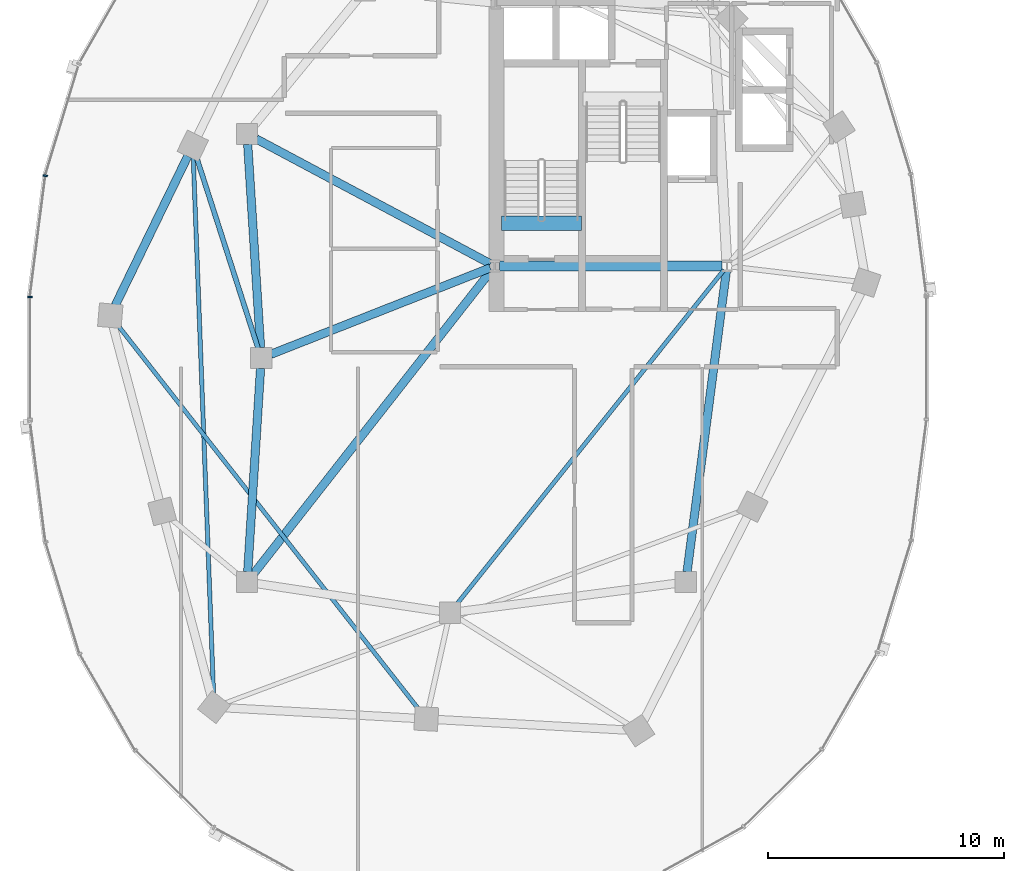
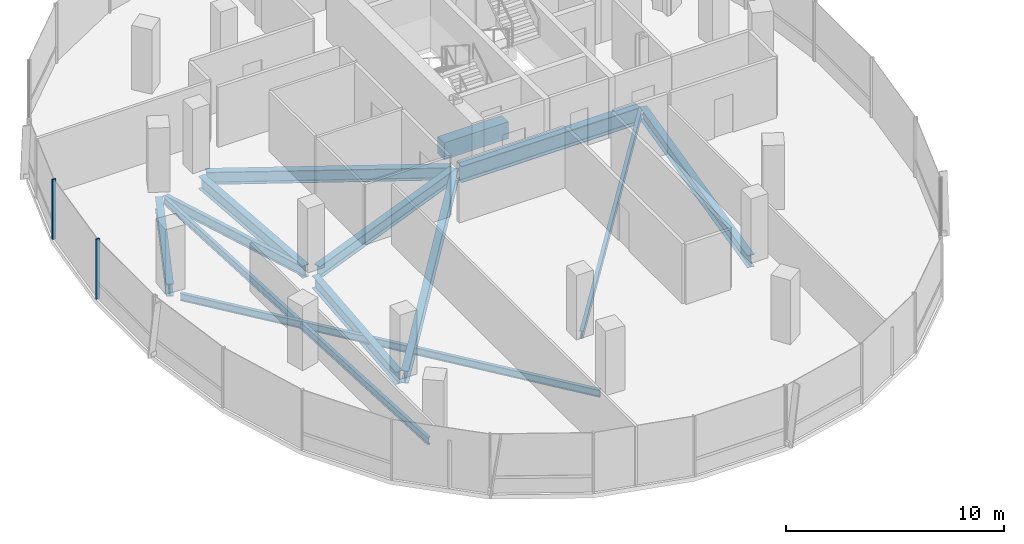
# One storey, part 3 of 22: 13 beams, 2 members, 1 element without a shape of its own.
"""IFC4 building model written with IfcOpenShell, lengths in metres."""

from ifc_helpers import new_model, si_unit, direction, frame, origin, origin_2d, place, context, subcontext, project, spatial, rectangle, i_section, extrude, material, material_profile, profile_set, type_object, element, aggregate, save


model = new_model("IFC4")

# Units and contexts
model_context = context("Model", 3, precision=1e-05, world=origin(), true_north=direction((0.0, 1.0)))
body_context = subcontext(model_context, "Body", "Model", "MODEL_VIEW")
ifc_project = project(units=[si_unit("LENGTHUNIT", "METRE"), si_unit("AREAUNIT", "SQUARE_METRE"), si_unit("VOLUMEUNIT", "CUBIC_METRE"), si_unit("PLANEANGLEUNIT", "RADIAN"), si_unit("MASSUNIT", "GRAM", prefix="KILO"), si_unit("THERMODYNAMICTEMPERATUREUNIT", "KELVIN"), si_unit("POWERUNIT", "WATT")], contexts=[model_context])

# Site, building, storey
site_placement = place(None, origin())
site = spatial("IfcSite", under=ifc_project, at=site_placement, CompositionType="ELEMENT")
building_placement = place(site_placement, origin())
building = spatial("IfcBuilding", under=site, at=building_placement, Name="Cundina Bronze Exchange", CompositionType="ELEMENT")
storey_placement = place(building_placement, frame((0.0, 0.0, 144.0)))
storey = spatial("IfcBuildingStorey", under=building, at=storey_placement, Name="L37", CompositionType="ELEMENT", Elevation=144.0)

# Beams
ifc_material_1 = material(Name="Concrete C60/75", Category="concrete")
ifc_material_profile_1 = material_profile(ifc_material_1, rectangle(XDim=0.60009765625, YDim=0.949951171875, at=origin_2d()), Name="RC600X950", Category="concrete")
ifc_profile_set_1 = profile_set([ifc_material_profile_1], Name="Concrete C60/75")
beam_type_1 = type_object("IfcBeamType", Name="BM-COUP-RC950", PredefinedType="LINTEL", material=ifc_profile_set_1)
beam_1_placement = place(storey_placement, frame((-31.02001953125, 5.719970703125, -0.47509765625), z_axis=(1.0, 0.0, 0.0), x_axis=(0.0, 1.0, 0.0)))
element("IfcBeam", 1, at=beam_1_placement, inside=storey, type_object=beam_type_1, Name="L37 Stair W1 Landing Header Beam", PredefinedType="LINTEL", context=body_context, shape_type="SweptSolid", body=[
    extrude(rectangle(XDim=0.60009765625, YDim=0.949951171875, at=origin_2d()), origin(), (0.0, 0.0, 1.0), 3.39990234375),
])
ifc_material_2 = material(Name="Steel ASTM A992 Grade 50", Category="steel")
ifc_material_profile_2 = material_profile(ifc_material_2, i_section(OverallWidth=0.2119140625, OverallDepth=0.5439453125, WebThickness=0.01318359375, FlangeThickness=0.021240234375, FilletRadius=0.013916015625, at=origin_2d()), Name="W21X83", Category="steel")
ifc_profile_set_2 = profile_set([ifc_material_profile_2], Name="Steel ASTM A992 Grade 50")
beam_type_2 = type_object("IfcBeamType", Name="BM-FLR-W21A", PredefinedType="BEAM", material=ifc_profile_set_2)
beam_2_placement = place(storey_placement, frame((-41.334228515625, 0.4169921875, -0.511962890625), z_axis=(-0.30669751302, 0.951807036908, 0.0), x_axis=(-0.951807036908, -0.30669751302, 0.0)))
element("IfcBeam", 2, at=beam_2_placement, inside=storey, type_object=beam_type_2, Name="L37 Leg W Radial Floor Beam 07", PredefinedType="BEAM", context=body_context, shape_type="SweptSolid", body=[
    extrude(i_section(OverallWidth=0.2119140625, OverallDepth=0.5439453125, WebThickness=0.01318359375, FlangeThickness=0.021240234375, FilletRadius=0.013916015625, at=origin_2d()), origin(), (0.0, 0.0, 1.0), 8.529541015625),
])
ifc_material_profile_3 = material_profile(ifc_material_2, i_section(OverallWidth=0.178955078125, OverallDepth=0.409912109375, WebThickness=0.0087890625, FlangeThickness=0.014404296875, FilletRadius=0.010986328125, at=origin_2d()), Name="W16X45", Category="steel")
ifc_profile_set_3 = profile_set([ifc_material_profile_3], Name="Steel ASTM A992 Grade 50")
beam_type_3 = type_object("IfcBeamType", Name="BM-JST-W16", PredefinedType="JOIST", material=ifc_profile_set_3)
beam_3_placement = place(storey_placement, frame((-21.577392578125, 3.740478515625, -0.445068359375), z_axis=(-0.624370675223, -0.781128196854, 0.0), x_axis=(0.781128196854, -0.624370675223, 0.0)))
element("IfcBeam", 3, at=beam_3_placement, inside=storey, type_object=beam_type_3, Name="L37 W Interior Core-to-Ring Joist 2", PredefinedType="JOIST", context=body_context, shape_type="SweptSolid", body=[
    extrude(i_section(OverallWidth=0.178955078125, OverallDepth=0.409912109375, WebThickness=0.0087890625, FlangeThickness=0.014404296875, FilletRadius=0.010986328125, at=origin_2d()), origin(), (0.0, 0.0, 1.0), 18.177001953125),
])
beam_4_placement = place(storey_placement, frame((-44.08154296875, 8.51220703125, -0.445068359375), z_axis=(0.037784933381, -0.999285894431, 0.0), x_axis=(0.999285894431, 0.037784933381, 0.0)))
element("IfcBeam", 4, at=beam_4_placement, inside=storey, type_object=beam_type_3, Name="L37 Leg W Lobe Floor Joist 07-10", PredefinedType="JOIST", context=body_context, shape_type="SweptSolid", body=[
    extrude(i_section(OverallWidth=0.178955078125, OverallDepth=0.409912109375, WebThickness=0.0087890625, FlangeThickness=0.014404296875, FilletRadius=0.010986328125, at=origin_2d()), origin(), (0.0, 0.0, 1.0), 22.8408203125),
])
beam_5_placement = place(storey_placement, frame((-47.299072265625, 1.416015625, -0.445068359375), z_axis=(0.616801484103, -0.787118751656, 0.0), x_axis=(0.787118751656, 0.616801484103, 0.0)))
element("IfcBeam", 5, at=beam_5_placement, inside=storey, type_object=beam_type_3, Name="L37 Leg W Lobe Floor Joist 08-11", PredefinedType="JOIST", context=body_context, shape_type="SweptSolid", body=[
    extrude(i_section(OverallWidth=0.178955078125, OverallDepth=0.409912109375, WebThickness=0.0087890625, FlangeThickness=0.014404296875, FilletRadius=0.010986328125, at=origin_2d()), origin(), (0.0, 0.0, 1.0), 20.7490234375),
])
ifc_material_profile_4 = material_profile(ifc_material_2, i_section(OverallWidth=0.35498046875, OverallDepth=0.695068359375, WebThickness=0.015380859375, FlangeThickness=0.02490234375, FilletRadius=0.01806640625, at=origin_2d()), Name="W27X146", Category="steel")
ifc_profile_set_4 = profile_set([ifc_material_profile_4], Name="Steel ASTM A992 Grade 50")
beam_type_4 = type_object("IfcBeamType", Name="BM-RING-W27", PredefinedType="USERDEFINED", material=ifc_profile_set_4)
for number, where, z_axis, x_axis, name in (
    (6, (-41.7724609375, 9.06298828125, -0.58740234375), (0.063046519736, -0.998010589297, 0.0), (0.998010589297, 0.063046519736, 0.0), "L37 W Inner Structural Ring Girder 03"),
    (7, (-41.2275390625, -0.43701171875, -0.58740234375), (-0.063046519736, -0.998010589297, 0.0), (0.998010589297, -0.063046519736, 0.0), "L37 W Inner Structural Ring Girder 04"),
):
    element("IfcBeam", number, at=place(storey_placement, frame(where, z_axis=z_axis, x_axis=x_axis)), inside=storey, type_object=beam_type_4, Name=name, ObjectType="GIRDER", PredefinedType="USERDEFINED", context=body_context, shape_type="SweptSolid", body=[
        extrude(i_section(OverallWidth=0.35498046875, OverallDepth=0.695068359375, WebThickness=0.015380859375, FlangeThickness=0.02490234375, FilletRadius=0.01806640625, at=origin_2d()), origin(), (0.0, 0.0, 1.0), 8.64306640625),
    ])
beam_6_placement = place(storey_placement, frame((-23.143310546875, -9.065673828125, -0.58740234375), z_axis=(0.129507030047, 0.991578503785, 0.0), x_axis=(-0.991578503785, 0.129507030047, 0.0)))
element("IfcBeam", 8, at=beam_6_placement, inside=storey, type_object=beam_type_4, Name="L37 W Inner Structural Ring Girder 07", ObjectType="GIRDER", PredefinedType="USERDEFINED", context=body_context, shape_type="SweptSolid", body=[
    extrude(i_section(OverallWidth=0.35498046875, OverallDepth=0.695068359375, WebThickness=0.015380859375, FlangeThickness=0.02490234375, FilletRadius=0.01806640625, at=origin_2d()), origin(), (0.0, 0.0, 1.0), 12.871826171875),
])
beam_7_placement = place(storey_placement, frame((-31.48974609375, 3.8251953125, -0.58740234375), z_axis=(-0.930405617189, -0.36653156413, 0.0), x_axis=(0.36653156413, -0.930405617189, 0.0)))
element("IfcBeam", 9, at=beam_7_placement, inside=storey, type_object=beam_type_4, Name="L37 W Core-to-Waist Tie Beam 1", ObjectType="GIRDER", PredefinedType="USERDEFINED", context=body_context, shape_type="SweptSolid", body=[
    extrude(i_section(OverallWidth=0.35498046875, OverallDepth=0.695068359375, WebThickness=0.015380859375, FlangeThickness=0.02490234375, FilletRadius=0.01806640625, at=origin_2d()), origin(), (0.0, 0.0, 1.0), 9.99853515625),
])
beam_8_placement = place(storey_placement, frame((-31.47998046875, 3.99609375, -0.58740234375), z_axis=(-0.88235534237, 0.470583733028, 0.0), x_axis=(-0.470583733028, -0.88235534237, 0.0)))
element("IfcBeam", 10, at=beam_8_placement, inside=storey, type_object=beam_type_4, Name="L37 W Core-to-Waist Tie Beam 2", ObjectType="GIRDER", PredefinedType="USERDEFINED", context=body_context, shape_type="SweptSolid", body=[
    extrude(i_section(OverallWidth=0.35498046875, OverallDepth=0.695068359375, WebThickness=0.015380859375, FlangeThickness=0.02490234375, FilletRadius=0.01806640625, at=origin_2d()), origin(), (0.0, 0.0, 1.0), 11.258056640625),
])
beam_9_placement = place(storey_placement, frame((-31.42578125, 3.739501953125, -0.58740234375), z_axis=(-0.616779109924, -0.787136283982, 0.0), x_axis=(0.787136283982, -0.616779109924, 0.0)))
element("IfcBeam", 11, at=beam_9_placement, inside=storey, type_object=beam_type_4, Name="L37 W Core-to-Waist Tie Beam 3", ObjectType="GIRDER", PredefinedType="USERDEFINED", context=body_context, shape_type="SweptSolid", body=[
    extrude(i_section(OverallWidth=0.35498046875, OverallDepth=0.695068359375, WebThickness=0.015380859375, FlangeThickness=0.02490234375, FilletRadius=0.01806640625, at=origin_2d()), origin(), (0.0, 0.0, 1.0), 16.3818359375),
])
beam_10_placement = place(storey_placement, frame((-44.3134765625, 8.56103515625, -0.58740234375), z_axis=(-0.437196998825, -0.89936576776, 0.0), x_axis=(0.89936576776, -0.437196998825, 0.0)))
element("IfcBeam", 12, at=beam_10_placement, inside=storey, type_object=beam_type_4, Name="L37 W Perimeter Ring Girder 07", ObjectType="GIRDER", PredefinedType="USERDEFINED", context=body_context, shape_type="SweptSolid", body=[
    extrude(i_section(OverallWidth=0.35498046875, OverallDepth=0.695068359375, WebThickness=0.015380859375, FlangeThickness=0.02490234375, FilletRadius=0.01806640625, at=origin_2d()), origin(), (0.0, 0.0, 1.0), 7.029541015625),
])
ifc_material_profile_5 = material_profile(ifc_material_2, i_section(OverallWidth=0.41796875, OverallDepth=0.927001953125, WebThickness=0.019287109375, FlangeThickness=0.031982421875, FilletRadius=0.02392578125, at=origin_2d()), Name="W36X231", Category="steel")
ifc_profile_set_5 = profile_set([ifc_material_profile_5], Name="Steel ASTM A992 Grade 50")
beam_type_5 = type_object("IfcBeamType", Name="BM-WRN-W36B", PredefinedType="USERDEFINED", material=ifc_profile_set_5)
beam_11_placement = place(storey_placement, frame((-31.095947265625, 3.89990234375, -0.70361328125), z_axis=(1.0, 0.0, 0.0), x_axis=(0.0, 1.0, 0.0)))
element("IfcBeam", 13, at=beam_11_placement, inside=storey, type_object=beam_type_5, Name="L37 W Core Perimeter Tie Girder 1", ObjectType="GIRDER", PredefinedType="USERDEFINED", context=body_context, shape_type="SweptSolid", body=[
    extrude(i_section(OverallWidth=0.41796875, OverallDepth=0.927001953125, WebThickness=0.019287109375, FlangeThickness=0.031982421875, FilletRadius=0.02392578125, at=origin_2d()), origin(), (0.0, 0.0, 1.0), 9.44189453125),
])

# Curtain wall, members
ifc_material_3 = material(Name="Anodised Bronze Aluminium 6063-T6", Category="aluminium")
curtain_wall_type = type_object("IfcCurtainWallType", Name="CWS-WST-PIN", PredefinedType="NOTDEFINED", material=ifc_material_3)
curtain_wall_placement = place(storey_placement, origin())
curtain_wall = element("IfcCurtainWall", 14, at=curtain_wall_placement, inside=storey, type_object=curtain_wall_type, Name="L37 CW-04 Curtain Wall Run CWR-L37-W2", PredefinedType="NOTDEFINED")
ifc_material_profile_6 = material_profile(ifc_material_3, rectangle(XDim=0.070068359375, YDim=0.18994140625, at=origin_2d()), Name="AL70X190", Category="aluminium")
ifc_profile_set_6 = profile_set([ifc_material_profile_6], Name="Anodised Bronze Aluminium 6063-T6")
member_type = type_object("IfcMemberType", Name="CWM-MUL-190", PredefinedType="MULLION", material=ifc_profile_set_6)
member_1_placement = place(storey_placement, frame((-50.357177734375, 7.731689453125, 0.0), z_axis=(0.0, 0.0, 1.0), x_axis=(-0.126545236492, -0.991960837494, 0.0)))
member_1 = element("IfcMember", 15, at=member_1_placement, type_object=member_type, Name="CW-04 Mullion 6", PredefinedType="MULLION", context=body_context, shape_type="SweptSolid", body=[
    extrude(rectangle(XDim=0.070068359375, YDim=0.18994140625, at=origin_2d()), origin(), (0.0, 0.0, 1.0), 3.360107421875),
])
member_2_placement = place(storey_placement, frame((-51.007080078125, 2.593017578125, 0.0), z_axis=(0.0, 0.0, 1.0), x_axis=(0.0, -1.0, 0.0)))
member_2 = element("IfcMember", 16, at=member_2_placement, type_object=member_type, Name="CW-04 Mullion 7", PredefinedType="MULLION", context=body_context, shape_type="SweptSolid", body=[
    extrude(rectangle(XDim=0.070068359375, YDim=0.18994140625, at=origin_2d()), origin(), (0.0, 0.0, 1.0), 3.360107421875),
])
aggregate(curtain_wall, [member_1, member_2])

save(model, "model.ifc")
